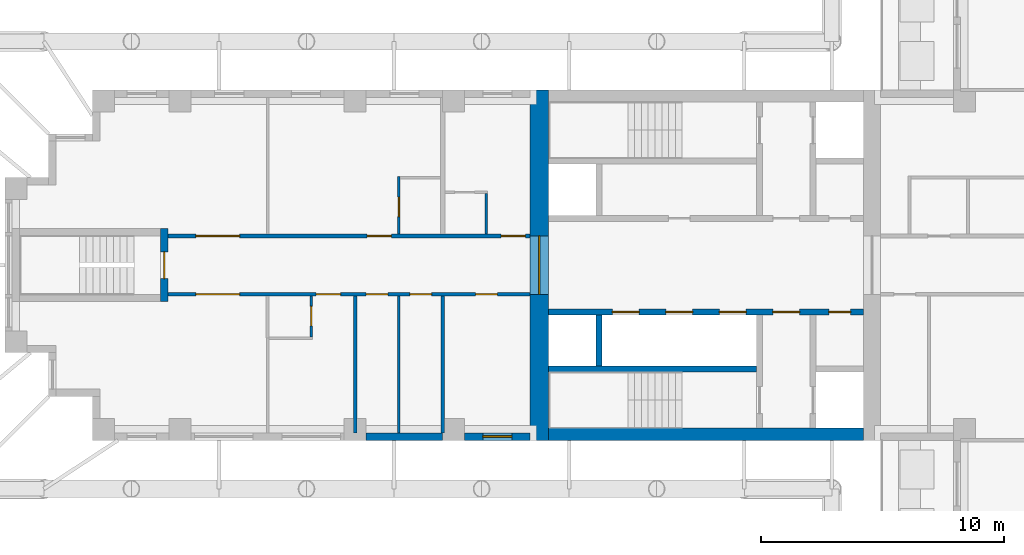
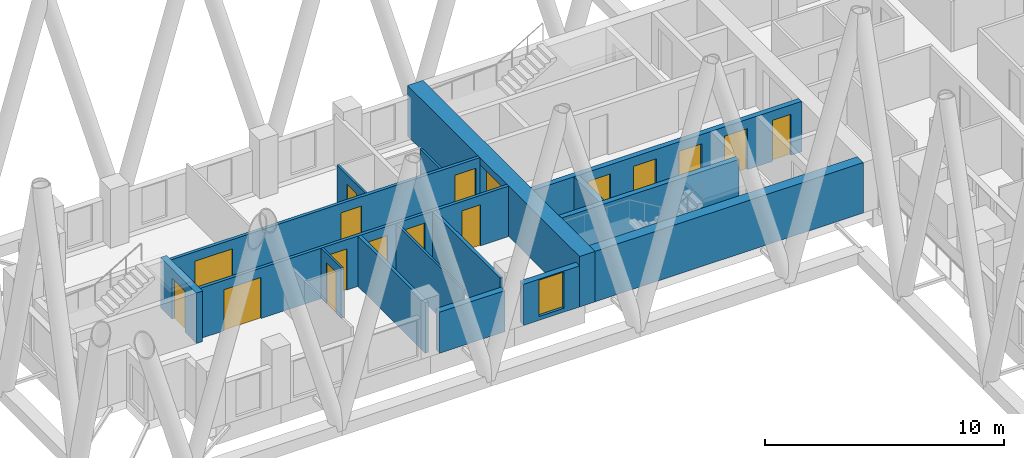
# One storey, part 7 of 16: 17 doors, 16 walls, 1 window, 18 openings.
"""IFC4 building model written with IfcOpenShell, lengths in metres."""

from ifc_helpers import new_model, si_unit, direction, frame, frame_2d, origin, place, context, subcontext, project, spatial, rectangle, extrude, material, layer, layer_set, type_object, element, fill, save


model = new_model("IFC4")

# Units and contexts
model_context = context("Model", 3, precision=1e-05, world=origin(), true_north=direction((0.0, 1.0)))
body_context = subcontext(model_context, "Body", "Model", "MODEL_VIEW")
ifc_project = project(units=[si_unit("LENGTHUNIT", "METRE"), si_unit("AREAUNIT", "SQUARE_METRE"), si_unit("VOLUMEUNIT", "CUBIC_METRE"), si_unit("PLANEANGLEUNIT", "RADIAN"), si_unit("MASSUNIT", "GRAM", prefix="KILO")], contexts=[model_context])

# Site, building, storey
site_placement = place(None, origin())
site = spatial("IfcSite", under=ifc_project, at=site_placement, CompositionType="ELEMENT")
building_placement = place(site_placement, origin())
building = spatial("IfcBuilding", under=site, at=building_placement, Name="Fustian Cross Tower", CompositionType="ELEMENT")
storey_placement = place(building_placement, frame((0.0, 0.0, 66.89990234375)))
storey = spatial("IfcBuildingStorey", under=building, at=storey_placement, Name="L20", CompositionType="ELEMENT", Elevation=66.89990234375)

# Wall, openings, doors
ifc_material_1 = material(Name="Plasterboard on steel stud", Category="steel")
ifc_layer_1 = layer(ifc_material_1, 0.14990234375)
ifc_layer_set_1 = layer_set([ifc_layer_1], Name="Plasterboard on steel stud")
wall_type_1 = type_object("IfcWallType", Name="COMPARTMENT WALL 150 EI 60", PredefinedType="PARTITIONING", material=ifc_layer_set_1)
wall_1_placement = place(storey_placement, frame((-36.5, -1.199951171875, 0.0), z_axis=(0.0, 0.0, 1.0), x_axis=(1.0, 0.0, 0.0)))
wall_1 = element("IfcWall", 1, at=wall_1_placement, inside=storey, type_object=wall_type_1, Name="Partition 1", PredefinedType="PARTITIONING", context=body_context, shape_type="SweptSolid", body=[
    extrude(rectangle(XDim=14.89990234375, YDim=0.14990234375, at=frame_2d((7.449951171875, 0.0))), origin(), (0.0, 0.0, 1.0), 2.5751953125),
])
opening_1_placement = place(wall_1_placement, frame((12.64990234375, 0.0, 0.0)))
opening_1 = element("IfcOpeningElement", 2, at=opening_1_placement, cuts=wall_1, Name="Opening D11025", PredefinedType="OPENING", context=body_context, shape_type="SweptSolid", body=[
    extrude(rectangle(XDim=0.89990234375, YDim=2.10009765625, at=frame_2d((0.449951171875, 1.050048828125))), frame((0.0, 0.0849609375, 0.0), z_axis=(0.0, -1.0, 0.0), x_axis=(1.0, 0.0, 0.0)), (0.0, 0.0, 1.0), 0.169921875),
])
opening_2_placement = place(wall_1_placement, frame((9.949951171875, 0.0, 0.0)))
opening_2 = element("IfcOpeningElement", 3, at=opening_2_placement, cuts=wall_1, Name="Opening D11026", PredefinedType="OPENING", context=body_context, shape_type="SweptSolid", body=[
    extrude(rectangle(XDim=0.89990234375, YDim=2.10009765625, at=frame_2d((0.449951171875, 1.050048828125))), frame((0.0, 0.0849609375, 0.0), z_axis=(0.0, -1.0, 0.0), x_axis=(1.0, 0.0, 0.0)), (0.0, 0.0, 1.0), 0.169921875),
])
opening_3_placement = place(wall_1_placement, frame((8.14990234375, 0.0, 0.0)))
opening_3 = element("IfcOpeningElement", 4, at=opening_3_placement, cuts=wall_1, Name="Opening D11027", PredefinedType="OPENING", context=body_context, shape_type="SweptSolid", body=[
    extrude(rectangle(XDim=0.89990234375, YDim=2.10009765625, at=frame_2d((0.449951171875, 1.050048828125))), frame((0.0, 0.0849609375, 0.0), z_axis=(0.0, -1.0, 0.0), x_axis=(1.0, 0.0, 0.0)), (0.0, 0.0, 1.0), 0.169921875),
])
opening_4_placement = place(wall_1_placement, frame((6.10009765625, 0.0, 0.0)))
opening_4 = element("IfcOpeningElement", 5, at=opening_4_placement, cuts=wall_1, Name="Opening D11029", PredefinedType="OPENING", context=body_context, shape_type="SweptSolid", body=[
    extrude(rectangle(XDim=1.0, YDim=2.10009765625, at=frame_2d((0.5, 1.050048828125))), frame((0.0, 0.0849609375, 0.0), z_axis=(0.0, -1.0, 0.0), x_axis=(1.0, 0.0, 0.0)), (0.0, 0.0, 1.0), 0.169921875),
])
opening_5_placement = place(wall_1_placement, frame((1.14990234375, 0.0, 0.0)))
opening_5 = element("IfcOpeningElement", 6, at=opening_5_placement, cuts=wall_1, Name="Opening D11030", PredefinedType="OPENING", context=body_context, shape_type="SweptSolid", body=[
    extrude(rectangle(XDim=1.800048828125, YDim=2.10009765625, at=frame_2d((0.89990234375, 1.050048828125))), frame((0.0, 0.0849609375, 0.0), z_axis=(0.0, -1.0, 0.0), x_axis=(1.0, 0.0, 0.0)), (0.0, 0.0, 1.0), 0.169921875),
])
ifc_material_2 = material(Name="Timber fire door set", Category="wood")
door_type_1 = type_object("IfcDoorType", Name="FIRE DOUBLE DOOR 1800 FD30S", OperationType="DOUBLE_DOOR_DOUBLE_SWING", PredefinedType="DOOR", material=ifc_material_2)
door_1_placement = place(opening_5_placement, origin())
door_1 = element("IfcDoor", 7, at=door_1_placement, inside=storey, type_object=door_type_1, Name="Door D11030", OperationType="DOUBLE_DOOR_DOUBLE_SWING", OverallHeight=2.10009765625, OverallWidth=1.800048828125, PredefinedType="DOOR", context=body_context, shape_type="SweptSolid", body=[
    extrude(rectangle(XDim=1.800048828125, YDim=2.10009765625, at=frame_2d((0.89990234375, 1.050048828125))), frame((0.0, 0.02490234375, 0.0), z_axis=(0.0, -1.0, 0.0), x_axis=(1.0, 0.0, 0.0)), (0.0, 0.0, 1.0), 0.050048828125),
])
fill(opening_5, door_1)
ifc_material_3 = material(Name="Timber fire door set", Category="wood")
door_type_2 = type_object("IfcDoorType", Name="FIRE SWING DOOR 1000 FD30S", OperationType="SINGLE_SWING_LEFT", PredefinedType="DOOR", material=ifc_material_3)
door_2_placement = place(opening_4_placement, frame((1.0, 0.0, 0.0), z_axis=(0.0, 0.0, 1.0), x_axis=(-1.0, 0.0, 0.0)))
door_2 = element("IfcDoor", 8, at=door_2_placement, inside=storey, type_object=door_type_2, Name="Door D11029", OperationType="SINGLE_SWING_RIGHT", OverallHeight=2.10009765625, OverallWidth=1.0, PredefinedType="DOOR", context=body_context, shape_type="SweptSolid", body=[
    extrude(rectangle(XDim=1.0, YDim=2.10009765625, at=frame_2d((0.5, 1.050048828125))), frame((0.0, 0.02490234375, 0.0), z_axis=(0.0, -1.0, 0.0), x_axis=(1.0, 0.0, 0.0)), (0.0, 0.0, 1.0), 0.050048828125),
])
fill(opening_4, door_2)
ifc_material_4 = material(Name="Timber fire door set", Category="wood")
door_type_3 = type_object("IfcDoorType", Name="FIRE SWING DOOR 900 FD30S", OperationType="SINGLE_SWING_LEFT", PredefinedType="DOOR", material=ifc_material_4)
door_3_placement = place(opening_1_placement, frame((0.89990234375, 0.0, 0.0), z_axis=(0.0, 0.0, 1.0), x_axis=(-1.0, 0.0, 0.0)))
door_3 = element("IfcDoor", 9, at=door_3_placement, inside=storey, type_object=door_type_3, Name="Door D11025", OperationType="SINGLE_SWING_RIGHT", OverallHeight=2.10009765625, OverallWidth=0.89990234375, PredefinedType="DOOR", context=body_context, shape_type="SweptSolid", body=[
    extrude(rectangle(XDim=0.89990234375, YDim=2.10009765625, at=frame_2d((0.449951171875, 1.050048828125))), frame((0.0, 0.02490234375, 0.0), z_axis=(0.0, -1.0, 0.0), x_axis=(1.0, 0.0, 0.0)), (0.0, 0.0, 1.0), 0.050048828125),
])
fill(opening_1, door_3)
door_4_placement = place(opening_2_placement, frame((0.89990234375, 0.0, 0.0), z_axis=(0.0, 0.0, 1.0), x_axis=(-1.0, 0.0, 0.0)))
door_4 = element("IfcDoor", 10, at=door_4_placement, inside=storey, type_object=door_type_3, Name="Door D11026", OperationType="SINGLE_SWING_LEFT", OverallHeight=2.10009765625, OverallWidth=0.89990234375, PredefinedType="DOOR", context=body_context, shape_type="SweptSolid", body=[
    extrude(rectangle(XDim=0.89990234375, YDim=2.10009765625, at=frame_2d((0.449951171875, 1.050048828125))), frame((0.0, 0.02490234375, 0.0), z_axis=(0.0, -1.0, 0.0), x_axis=(1.0, 0.0, 0.0)), (0.0, 0.0, 1.0), 0.050048828125),
])
fill(opening_2, door_4)
door_5_placement = place(opening_3_placement, frame((0.89990234375, 0.0, 0.0), z_axis=(0.0, 0.0, 1.0), x_axis=(-1.0, 0.0, 0.0)))
door_5 = element("IfcDoor", 11, at=door_5_placement, inside=storey, type_object=door_type_3, Name="Door D11027", OperationType="SINGLE_SWING_LEFT", OverallHeight=2.10009765625, OverallWidth=0.89990234375, PredefinedType="DOOR", context=body_context, shape_type="SweptSolid", body=[
    extrude(rectangle(XDim=0.89990234375, YDim=2.10009765625, at=frame_2d((0.449951171875, 1.050048828125))), frame((0.0, 0.02490234375, 0.0), z_axis=(0.0, -1.0, 0.0), x_axis=(1.0, 0.0, 0.0)), (0.0, 0.0, 1.0), 0.050048828125),
])
fill(opening_3, door_5)

wall_2_placement = place(storey_placement, frame((-36.5, 1.199951171875, 0.0), z_axis=(0.0, 0.0, 1.0), x_axis=(1.0, 0.0, 0.0)))
wall_2 = element("IfcWall", 12, at=wall_2_placement, inside=storey, type_object=wall_type_1, Name="Partition 2", PredefinedType="PARTITIONING", context=body_context, shape_type="SweptSolid", body=[
    extrude(rectangle(XDim=14.89990234375, YDim=0.14990234375, at=frame_2d((7.449951171875, 0.0))), origin(), (0.0, 0.0, 1.0), 2.5751953125),
])
opening_6_placement = place(wall_2_placement, frame((13.699951171875, 0.0, 0.0)))
opening_6 = element("IfcOpeningElement", 13, at=opening_6_placement, cuts=wall_2, Name="Opening D11032", PredefinedType="OPENING", context=body_context, shape_type="SweptSolid", body=[
    extrude(rectangle(XDim=1.0, YDim=2.10009765625, at=frame_2d((0.5, 1.050048828125))), frame((0.0, 0.0849609375, 0.0), z_axis=(0.0, -1.0, 0.0), x_axis=(1.0, 0.0, 0.0)), (0.0, 0.0, 1.0), 0.169921875),
])
opening_7_placement = place(wall_2_placement, frame((8.18994140625, 0.0, 0.0)))
opening_7 = element("IfcOpeningElement", 14, at=opening_7_placement, cuts=wall_2, Name="Opening D11034", PredefinedType="OPENING", context=body_context, shape_type="SweptSolid", body=[
    extrude(rectangle(XDim=1.0, YDim=2.10009765625, at=frame_2d((0.5, 1.050048828125))), frame((0.0, 0.0849609375, 0.0), z_axis=(0.0, -1.0, 0.0), x_axis=(1.0, 0.0, 0.0)), (0.0, 0.0, 1.0), 0.169921875),
])
opening_8_placement = place(wall_2_placement, frame((1.14990234375, 0.0, 0.0)))
opening_8 = element("IfcOpeningElement", 15, at=opening_8_placement, cuts=wall_2, Name="Opening D11035", PredefinedType="OPENING", context=body_context, shape_type="SweptSolid", body=[
    extrude(rectangle(XDim=1.800048828125, YDim=2.10009765625, at=frame_2d((0.89990234375, 1.050048828125))), frame((0.0, 0.0849609375, 0.0), z_axis=(0.0, -1.0, 0.0), x_axis=(1.0, 0.0, 0.0)), (0.0, 0.0, 1.0), 0.169921875),
])
door_6_placement = place(opening_8_placement, frame((1.800048828125, 0.0, 0.0), z_axis=(0.0, 0.0, 1.0), x_axis=(-1.0, 0.0, 0.0)))
door_6 = element("IfcDoor", 16, at=door_6_placement, inside=storey, type_object=door_type_1, Name="Door D11035", OperationType="DOUBLE_DOOR_DOUBLE_SWING", OverallHeight=2.10009765625, OverallWidth=1.800048828125, PredefinedType="DOOR", context=body_context, shape_type="SweptSolid", body=[
    extrude(rectangle(XDim=1.800048828125, YDim=2.10009765625, at=frame_2d((0.89990234375, 1.050048828125))), frame((0.0, 0.02490234375, 0.0), z_axis=(0.0, -1.0, 0.0), x_axis=(1.0, 0.0, 0.0)), (0.0, 0.0, 1.0), 0.050048828125),
])
fill(opening_8, door_6)
door_7_placement = place(opening_6_placement, origin())
door_7 = element("IfcDoor", 17, at=door_7_placement, inside=storey, type_object=door_type_2, Name="Door D11032", OperationType="SINGLE_SWING_RIGHT", OverallHeight=2.10009765625, OverallWidth=1.0, PredefinedType="DOOR", context=body_context, shape_type="SweptSolid", body=[
    extrude(rectangle(XDim=1.0, YDim=2.10009765625, at=frame_2d((0.5, 1.050048828125))), frame((0.0, 0.02490234375, 0.0), z_axis=(0.0, -1.0, 0.0), x_axis=(1.0, 0.0, 0.0)), (0.0, 0.0, 1.0), 0.050048828125),
])
fill(opening_6, door_7)
door_8_placement = place(opening_7_placement, origin())
door_8 = element("IfcDoor", 18, at=door_8_placement, inside=storey, type_object=door_type_2, Name="Door D11034", OperationType="SINGLE_SWING_RIGHT", OverallHeight=2.10009765625, OverallWidth=1.0, PredefinedType="DOOR", context=body_context, shape_type="SweptSolid", body=[
    extrude(rectangle(XDim=1.0, YDim=2.10009765625, at=frame_2d((0.5, 1.050048828125))), frame((0.0, 0.02490234375, 0.0), z_axis=(0.0, -1.0, 0.0), x_axis=(1.0, 0.0, 0.0)), (0.0, 0.0, 1.0), 0.050048828125),
])
fill(opening_7, door_8)

# Walls
for number, where, z_axis, x_axis, name in (
    (19, (-28.800048828125, -6.89990234375, 0.0), (0.0, 0.0, 1.0), (0.0, 1.0, 0.0), "Partition 8"),
    (20, (-25.199951171875, -6.89990234375, 0.0), (0.0, 0.0, 1.0), (0.0, 1.0, 0.0), "Partition 12"),
):
    element("IfcWall", number, at=place(storey_placement, frame(where, z_axis=z_axis, x_axis=x_axis)), inside=storey, type_object=wall_type_1, Name=name, PredefinedType="PARTITIONING", context=body_context, shape_type="SweptSolid", body=[
        extrude(rectangle(XDim=5.625, YDim=0.14990234375, at=frame_2d((2.8125, 0.0))), origin(), (0.0, 0.0, 1.0), 2.5751953125),
    ])

# Wall, opening, door
ifc_material_5 = material(Name="Concrete C70/85", Category="concrete")
ifc_layer_2 = layer(ifc_material_5, 0.75)
ifc_layer_set_2 = layer_set([ifc_layer_2], Name="Concrete C70/85")
wall_type_2 = type_object("IfcWallType", Name="CORE END WALL 750 C70/85", PredefinedType="SHEAR", material=ifc_layer_set_2)
wall_3_placement = place(storey_placement, frame((-21.22509765625, -7.199951171875, 0.0), z_axis=(0.0, 0.0, 1.0), x_axis=(0.0, 1.0, 0.0)))
wall_3 = element("IfcWall", 21, at=wall_3_placement, inside=storey, type_object=wall_type_2, Name="Core end wall", PredefinedType="SHEAR", context=body_context, shape_type="SweptSolid", body=[
    extrude(rectangle(XDim=14.39990234375, YDim=0.75, at=frame_2d((7.199951171875, 0.0))), origin(), (0.0, 0.0, 1.0), 2.5751953125),
])
opening_9_placement = place(wall_3_placement, frame((6.0, 0.0, 0.0)))
opening_9 = element("IfcOpeningElement", 22, at=opening_9_placement, cuts=wall_3, Name="Opening CD-09-27", PredefinedType="OPENING", context=body_context, shape_type="SweptSolid", body=[
    extrude(rectangle(XDim=2.39990234375, YDim=2.199951171875, at=frame_2d((1.199951171875, 1.10009765625))), frame((0.0, 0.385009765625, 0.0), z_axis=(0.0, -1.0, 0.0), x_axis=(1.0, 0.0, 0.0)), (0.0, 0.0, 1.0), 0.77001953125),
])
ifc_material_6 = material(Name="Steel", Category="steel")
door_type_4 = type_object("IfcDoorType", Name="FIRE DOOR FD30S DOUBLE 2400X2200", OperationType="DOUBLE_DOOR_DOUBLE_SWING", PredefinedType="DOOR", material=ifc_material_6)
door_9_placement = place(opening_9_placement, frame((2.39990234375, 0.0, 0.0), z_axis=(0.0, 0.0, 1.0), x_axis=(-1.0, 0.0, 0.0)))
door_9 = element("IfcDoor", 23, at=door_9_placement, inside=storey, type_object=door_type_4, Name="Core door CD-09-27", OperationType="DOUBLE_DOOR_DOUBLE_SWING", OverallHeight=2.199951171875, OverallWidth=2.39990234375, PredefinedType="DOOR", context=body_context, shape_type="SweptSolid", body=[
    extrude(rectangle(XDim=2.39990234375, YDim=2.199951171875, at=frame_2d((1.199951171875, 1.10009765625))), frame((0.0, 0.02490234375, 0.0), z_axis=(0.0, -1.0, 0.0), x_axis=(1.0, 0.0, 0.0)), (0.0, 0.0, 1.0), 0.050048828125),
])
fill(opening_9, door_9)

# Wall
ifc_material_7 = material(Name="Concrete C70/85", Category="concrete")
ifc_layer_3 = layer(ifc_material_7, 0.5)
ifc_layer_set_3 = layer_set([ifc_layer_3], Name="Concrete C70/85")
wall_type_3 = type_object("IfcWallType", Name="CORE FACADE WALL 500 C70/85", PredefinedType="SHEAR", material=ifc_layer_set_3)
wall_4_placement = place(storey_placement, frame((-7.89990234375, -6.949951171875, 0.0), z_axis=(0.0, 0.0, 1.0), x_axis=(-1.0, 0.0, 0.0)))
element("IfcWall", 24, at=wall_4_placement, inside=storey, type_object=wall_type_3, Name="Core facade wall", PredefinedType="SHEAR", context=body_context, shape_type="SweptSolid", body=[
    extrude(rectangle(XDim=12.9501953125, YDim=0.5, at=frame_2d((6.47509765625, 0.0))), origin(), (0.0, 0.0, 1.0), 2.5751953125),
])

# Wall, openings, doors
ifc_material_8 = material(Name="Concrete C50/60", Category="concrete")
ifc_layer_4 = layer(ifc_material_8, 0.25)
ifc_layer_set_4 = layer_set([ifc_layer_4], Name="Concrete C50/60")
wall_type_4 = type_object("IfcWallType", Name="CORE LOBBY WALL 250 C50/60", PredefinedType="SHEAR", material=ifc_layer_set_4)
wall_5_placement = place(storey_placement, frame((-7.89990234375, -1.925048828125, 0.0), z_axis=(0.0, 0.0, 1.0), x_axis=(-1.0, 0.0, 0.0)))
wall_5 = element("IfcWall", 25, at=wall_5_placement, inside=storey, type_object=wall_type_4, Name="Core lobby wall", PredefinedType="SHEAR", context=body_context, shape_type="SweptSolid", body=[
    extrude(rectangle(XDim=12.9501953125, YDim=0.25, at=frame_2d((6.47509765625, 0.0))), origin(), (0.0, 0.0, 1.0), 2.5751953125),
])
opening_10_placement = place(wall_5_placement, frame((4.824951171875, 0.0, 0.0)))
opening_10 = element("IfcOpeningElement", 26, at=opening_10_placement, cuts=wall_5, Name="Opening LD", PredefinedType="OPENING", context=body_context, shape_type="SweptSolid", body=[
    extrude(rectangle(XDim=1.10009765625, YDim=2.10009765625, at=frame_2d((0.550048828125, 1.050048828125))), frame((0.0, 0.135009765625, 0.0), z_axis=(0.0, -1.0, 0.0), x_axis=(1.0, 0.0, 0.0)), (0.0, 0.0, 1.0), 0.27001953125),
])
opening_11_placement = place(wall_5_placement, frame((7.02490234375, 0.0, 0.0)))
opening_11 = element("IfcOpeningElement", 27, at=opening_11_placement, cuts=wall_5, Name="Opening LD", PredefinedType="OPENING", context=body_context, shape_type="SweptSolid", body=[
    extrude(rectangle(XDim=1.10009765625, YDim=2.10009765625, at=frame_2d((0.550048828125, 1.050048828125))), frame((0.0, 0.135009765625, 0.0), z_axis=(0.0, -1.0, 0.0), x_axis=(1.0, 0.0, 0.0)), (0.0, 0.0, 1.0), 0.27001953125),
])
opening_12_placement = place(wall_5_placement, frame((9.22509765625, 0.0, 0.0)))
opening_12 = element("IfcOpeningElement", 28, at=opening_12_placement, cuts=wall_5, Name="Opening LD", PredefinedType="OPENING", context=body_context, shape_type="SweptSolid", body=[
    extrude(rectangle(XDim=1.10009765625, YDim=2.10009765625, at=frame_2d((0.550048828125, 1.050048828125))), frame((0.0, 0.135009765625, 0.0), z_axis=(0.0, -1.0, 0.0), x_axis=(1.0, 0.0, 0.0)), (0.0, 0.0, 1.0), 0.27001953125),
])
opening_13_placement = place(wall_5_placement, frame((0.52490234375, 0.0, 0.0)))
opening_13 = element("IfcOpeningElement", 29, at=opening_13_placement, cuts=wall_5, Name="Opening CD-09-23", PredefinedType="OPENING", context=body_context, shape_type="SweptSolid", body=[
    extrude(rectangle(XDim=0.89990234375, YDim=2.10009765625, at=frame_2d((0.449951171875, 1.050048828125))), frame((0.0, 0.135009765625, 0.0), z_axis=(0.0, -1.0, 0.0), x_axis=(1.0, 0.0, 0.0)), (0.0, 0.0, 1.0), 0.27001953125),
])
opening_14_placement = place(wall_5_placement, frame((2.625, 0.0, 0.0)))
opening_14 = element("IfcOpeningElement", 30, at=opening_14_placement, cuts=wall_5, Name="Opening CD-09-25", PredefinedType="OPENING", context=body_context, shape_type="SweptSolid", body=[
    extrude(rectangle(XDim=1.10009765625, YDim=2.10009765625, at=frame_2d((0.550048828125, 1.050048828125))), frame((0.0, 0.135009765625, 0.0), z_axis=(0.0, -1.0, 0.0), x_axis=(1.0, 0.0, 0.0)), (0.0, 0.0, 1.0), 0.27001953125),
])
ifc_material_9 = material(Name="Steel", Category="steel")
door_type_5 = type_object("IfcDoorType", Name="FIRE DOOR FD30S 1100X2100", OperationType="SINGLE_SWING_LEFT", PredefinedType="DOOR", material=ifc_material_9)
door_10_placement = place(opening_14_placement, frame((1.10009765625, 0.0, 0.0), z_axis=(0.0, 0.0, 1.0), x_axis=(-1.0, 0.0, 0.0)))
door_10 = element("IfcDoor", 31, at=door_10_placement, inside=storey, type_object=door_type_5, Name="Core door CD-09-25", OperationType="SINGLE_SWING_RIGHT", OverallHeight=2.10009765625, OverallWidth=1.10009765625, PredefinedType="DOOR", context=body_context, shape_type="SweptSolid", body=[
    extrude(rectangle(XDim=1.10009765625, YDim=2.10009765625, at=frame_2d((0.550048828125, 1.050048828125))), frame((0.0, 0.02490234375, 0.0), z_axis=(0.0, -1.0, 0.0), x_axis=(1.0, 0.0, 0.0)), (0.0, 0.0, 1.0), 0.050048828125),
])
fill(opening_14, door_10)
ifc_material_10 = material(Name="Steel", Category="steel")
door_type_6 = type_object("IfcDoorType", Name="FIRE DOOR FD30S 900X2100", OperationType="SINGLE_SWING_LEFT", PredefinedType="DOOR", material=ifc_material_10)
door_11_placement = place(opening_13_placement, origin())
door_11 = element("IfcDoor", 32, at=door_11_placement, inside=storey, type_object=door_type_6, Name="Core door CD-09-23", OperationType="SINGLE_SWING_LEFT", OverallHeight=2.10009765625, OverallWidth=0.89990234375, PredefinedType="DOOR", context=body_context, shape_type="SweptSolid", body=[
    extrude(rectangle(XDim=0.89990234375, YDim=2.10009765625, at=frame_2d((0.449951171875, 1.050048828125))), frame((0.0, 0.02490234375, 0.0), z_axis=(0.0, -1.0, 0.0), x_axis=(1.0, 0.0, 0.0)), (0.0, 0.0, 1.0), 0.050048828125),
])
fill(opening_13, door_11)
ifc_material_11 = material(Name="Stainless steel", Category="steel")
door_type_7 = type_object("IfcDoorType", Name="LIFT LANDING DOOR 1100X2100", OperationType="SLIDING_TO_LEFT", PredefinedType="DOOR", material=ifc_material_11)
door_12_placement = place(opening_10_placement, origin())
door_12 = element("IfcDoor", 33, at=door_12_placement, inside=storey, type_object=door_type_7, Name="Landing door LR1W", OperationType="SLIDING_TO_LEFT", OverallHeight=2.10009765625, OverallWidth=1.10009765625, PredefinedType="DOOR", context=body_context, shape_type="SweptSolid", body=[
    extrude(rectangle(XDim=1.10009765625, YDim=2.10009765625, at=frame_2d((0.550048828125, 1.050048828125))), frame((0.0, 0.02490234375, 0.0), z_axis=(0.0, -1.0, 0.0), x_axis=(1.0, 0.0, 0.0)), (0.0, 0.0, 1.0), 0.050048828125),
])
fill(opening_10, door_12)
door_13_placement = place(opening_11_placement, origin())
door_13 = element("IfcDoor", 34, at=door_13_placement, inside=storey, type_object=door_type_7, Name="Landing door LR2W", OperationType="SLIDING_TO_LEFT", OverallHeight=2.10009765625, OverallWidth=1.10009765625, PredefinedType="DOOR", context=body_context, shape_type="SweptSolid", body=[
    extrude(rectangle(XDim=1.10009765625, YDim=2.10009765625, at=frame_2d((0.550048828125, 1.050048828125))), frame((0.0, 0.02490234375, 0.0), z_axis=(0.0, -1.0, 0.0), x_axis=(1.0, 0.0, 0.0)), (0.0, 0.0, 1.0), 0.050048828125),
])
fill(opening_11, door_13)
door_14_placement = place(opening_12_placement, origin())
door_14 = element("IfcDoor", 35, at=door_14_placement, inside=storey, type_object=door_type_7, Name="Landing door LR3W", OperationType="SLIDING_TO_LEFT", OverallHeight=2.10009765625, OverallWidth=1.10009765625, PredefinedType="DOOR", context=body_context, shape_type="SweptSolid", body=[
    extrude(rectangle(XDim=1.10009765625, YDim=2.10009765625, at=frame_2d((0.550048828125, 1.050048828125))), frame((0.0, 0.02490234375, 0.0), z_axis=(0.0, -1.0, 0.0), x_axis=(1.0, 0.0, 0.0)), (0.0, 0.0, 1.0), 0.050048828125),
])
fill(opening_12, door_14)

# Wall
ifc_material_12 = material(Name="Concrete C50/60", Category="concrete")
ifc_layer_5 = layer(ifc_material_12, 0.25)
ifc_layer_set_5 = layer_set([ifc_layer_5], Name="Concrete C50/60")
wall_type_5 = type_object("IfcWallType", Name="CORE SHAFT WALL 250 C50/60", PredefinedType="SHEAR", material=ifc_layer_set_5)
wall_6_placement = place(storey_placement, frame((-12.300048828125, -4.27490234375, 0.0), z_axis=(0.0, 0.0, 1.0), x_axis=(-1.0, 0.0, 0.0)))
element("IfcWall", 36, at=wall_6_placement, inside=storey, type_object=wall_type_5, Name="Core shaft wall", PredefinedType="SHEAR", context=body_context, shape_type="SweptSolid", body=[
    extrude(rectangle(XDim=8.550048828125, YDim=0.25, at=frame_2d((4.27490234375, 0.0))), origin(), (0.0, 0.0, 1.0), 2.5751953125),
])

# Wall, opening, door
ifc_material_13 = material(Name="Plasterboard on steel stud", Category="steel")
ifc_layer_6 = layer(ifc_material_13, 0.10009765625)
ifc_layer_set_6 = layer_set([ifc_layer_6], Name="Plasterboard on steel stud")
wall_type_6 = type_object("IfcWallType", Name="PARTITION 100 STUD", PredefinedType="PARTITIONING", material=ifc_layer_set_6)
wall_7_placement = place(storey_placement, frame((-30.60009765625, -2.949951171875, 0.0), z_axis=(0.0, 0.0, 1.0), x_axis=(0.0, 1.0, 0.0)))
wall_7 = element("IfcWall", 37, at=wall_7_placement, inside=storey, type_object=wall_type_6, Name="Partition 7", PredefinedType="PARTITIONING", context=body_context, shape_type="SweptSolid", body=[
    extrude(rectangle(XDim=1.675048828125, YDim=0.10009765625, at=frame_2d((0.83740234375, 0.0))), origin(), (0.0, 0.0, 1.0), 2.5751953125),
])
opening_15_placement = place(wall_7_placement, frame((0.449951171875, 0.0, 0.0)))
opening_15 = element("IfcOpeningElement", 38, at=opening_15_placement, cuts=wall_7, Name="Opening D11028", PredefinedType="OPENING", context=body_context, shape_type="SweptSolid", body=[
    extrude(rectangle(XDim=0.800048828125, YDim=2.10009765625, at=frame_2d((0.39990234375, 1.050048828125))), frame((0.0, 0.06005859375, 0.0), z_axis=(0.0, -1.0, 0.0), x_axis=(1.0, 0.0, 0.0)), (0.0, 0.0, 1.0), 0.1201171875),
])
ifc_material_14 = material(Name="Painted timber", Category="wood")
door_type_8 = type_object("IfcDoorType", Name="SWING DOOR 800", OperationType="SINGLE_SWING_LEFT", PredefinedType="DOOR", material=ifc_material_14)
door_15_placement = place(opening_15_placement, origin())
door_15 = element("IfcDoor", 39, at=door_15_placement, inside=storey, type_object=door_type_8, Name="Door D11028", OperationType="SINGLE_SWING_RIGHT", OverallHeight=2.10009765625, OverallWidth=0.800048828125, PredefinedType="DOOR", context=body_context, shape_type="SweptSolid", body=[
    extrude(rectangle(XDim=0.800048828125, YDim=2.10009765625, at=frame_2d((0.39990234375, 1.050048828125))), frame((0.0, 0.02490234375, 0.0), z_axis=(0.0, -1.0, 0.0), x_axis=(1.0, 0.0, 0.0)), (0.0, 0.0, 1.0), 0.050048828125),
])
fill(opening_15, door_15)

# Wall
wall_8_placement = place(storey_placement, frame((-27.0, -6.89990234375, 0.0), z_axis=(0.0, 0.0, 1.0), x_axis=(0.0, 1.0, 0.0)))
element("IfcWall", 40, at=wall_8_placement, inside=storey, type_object=wall_type_6, Name="Partition 9", PredefinedType="PARTITIONING", context=body_context, shape_type="SweptSolid", body=[
    extrude(rectangle(XDim=5.625, YDim=0.10009765625, at=frame_2d((2.8125, 0.0))), origin(), (0.0, 0.0, 1.0), 2.5751953125),
])

# Wall, opening, door
wall_9_placement = place(storey_placement, frame((-27.0, 1.27490234375, 0.0), z_axis=(0.0, 0.0, 1.0), x_axis=(0.0, 1.0, 0.0)))
wall_9 = element("IfcWall", 41, at=wall_9_placement, inside=storey, type_object=wall_type_6, Name="Partition 10", PredefinedType="PARTITIONING", context=body_context, shape_type="SweptSolid", body=[
    extrude(rectangle(XDim=2.375, YDim=0.10009765625, at=frame_2d((1.1875, 0.0))), origin(), (0.0, 0.0, 1.0), 2.5751953125),
])
opening_16_placement = place(wall_9_placement, frame((0.72509765625, 0.0, 0.0)))
opening_16 = element("IfcOpeningElement", 42, at=opening_16_placement, cuts=wall_9, Name="Opening D11033", PredefinedType="OPENING", context=body_context, shape_type="SweptSolid", body=[
    extrude(rectangle(XDim=0.800048828125, YDim=2.10009765625, at=frame_2d((0.39990234375, 1.050048828125))), frame((0.0, 0.06005859375, 0.0), z_axis=(0.0, -1.0, 0.0), x_axis=(1.0, 0.0, 0.0)), (0.0, 0.0, 1.0), 0.1201171875),
])
door_16_placement = place(opening_16_placement, frame((0.800048828125, 0.0, 0.0), z_axis=(0.0, 0.0, 1.0), x_axis=(-1.0, 0.0, 0.0)))
door_16 = element("IfcDoor", 43, at=door_16_placement, inside=storey, type_object=door_type_8, Name="Door D11033", OperationType="SINGLE_SWING_RIGHT", OverallHeight=2.10009765625, OverallWidth=0.800048828125, PredefinedType="DOOR", context=body_context, shape_type="SweptSolid", body=[
    extrude(rectangle(XDim=0.800048828125, YDim=2.10009765625, at=frame_2d((0.39990234375, 1.050048828125))), frame((0.0, 0.02490234375, 0.0), z_axis=(0.0, -1.0, 0.0), x_axis=(1.0, 0.0, 0.0)), (0.0, 0.0, 1.0), 0.050048828125),
])
fill(opening_16, door_16)

# Walls
wall_10_placement = place(storey_placement, frame((-23.39990234375, 1.27490234375, 0.0), z_axis=(0.0, 0.0, 1.0), x_axis=(0.0, 1.0, 0.0)))
element("IfcWall", 44, at=wall_10_placement, inside=storey, type_object=wall_type_6, Name="Partition 15", PredefinedType="PARTITIONING", context=body_context, shape_type="SweptSolid", body=[
    extrude(rectangle(XDim=1.675048828125, YDim=0.10009765625, at=frame_2d((0.83740234375, 0.0))), origin(), (0.0, 0.0, 1.0), 2.5751953125),
])
ifc_material_15 = material(Name="Concrete C40/50", Category="concrete")
ifc_layer_7 = layer(ifc_material_15, 0.25)
ifc_layer_set_7 = layer_set([ifc_layer_7], Name="Concrete C40/50")
wall_type_7 = type_object("IfcWallType", Name="SHAFT PARTITION WALL 250 C40/50", PredefinedType="PARTITIONING", material=ifc_layer_set_7)
wall_11_placement = place(storey_placement, frame((-18.77490234375, -2.050048828125, 0.0), z_axis=(0.0, 0.0, 1.0), x_axis=(0.0, -1.0, 0.0)))
element("IfcWall", 45, at=wall_11_placement, inside=storey, type_object=wall_type_7, Name="Core shaft wall", PredefinedType="PARTITIONING", context=body_context, shape_type="SweptSolid", body=[
    extrude(rectangle(XDim=2.099853515625, YDim=0.25, at=frame_2d((1.0498046875, 0.0))), origin(), (0.0, 0.0, 1.0), 2.5751953125),
])

# Wall, opening, door
ifc_material_16 = material(Name="Concrete C50/60", Category="concrete")
ifc_layer_8 = layer(ifc_material_16, 0.300048828125)
ifc_layer_set_8 = layer_set([ifc_layer_8], Name="Concrete C50/60")
wall_type_8 = type_object("IfcWallType", Name="STAIR ENCLOSURE WALL 300 C50/60", PredefinedType="SHEAR", material=ifc_layer_set_8)
wall_12_placement = place(storey_placement, frame((-36.64990234375, -1.5, 0.0), z_axis=(0.0, 0.0, 1.0), x_axis=(0.0, 1.0, 0.0)))
wall_12 = element("IfcWall", 46, at=wall_12_placement, inside=storey, type_object=wall_type_8, Name="Stair enclosure wall", PredefinedType="SHEAR", context=body_context, shape_type="SweptSolid", body=[
    extrude(rectangle(XDim=3.0, YDim=0.300048828125, at=frame_2d((1.5, 0.0))), origin(), (0.0, 0.0, 1.0), 2.5751953125),
])
opening_17_placement = place(wall_12_placement, frame((0.949951171875, 0.0, 0.0)))
opening_17 = element("IfcOpeningElement", 47, at=opening_17_placement, cuts=wall_12, Name="Opening CD-09-31", PredefinedType="OPENING", context=body_context, shape_type="SweptSolid", body=[
    extrude(rectangle(XDim=1.10009765625, YDim=2.10009765625, at=frame_2d((0.550048828125, 1.050048828125))), frame((0.0, 0.159912109375, 0.0), z_axis=(0.0, -1.0, 0.0), x_axis=(1.0, 0.0, 0.0)), (0.0, 0.0, 1.0), 0.320068359375),
])
ifc_material_17 = material(Name="Steel", Category="steel")
door_type_9 = type_object("IfcDoorType", Name="FIRE DOOR FD60S 1100X2100", OperationType="SINGLE_SWING_LEFT", PredefinedType="DOOR", material=ifc_material_17)
door_17_placement = place(opening_17_placement, origin())
door_17 = element("IfcDoor", 48, at=door_17_placement, inside=storey, type_object=door_type_9, Name="Core door CD-09-31", OperationType="SINGLE_SWING_LEFT", OverallHeight=2.10009765625, OverallWidth=1.10009765625, PredefinedType="DOOR", context=body_context, shape_type="SweptSolid", body=[
    extrude(rectangle(XDim=1.10009765625, YDim=2.10009765625, at=frame_2d((0.550048828125, 1.050048828125))), frame((0.0, 0.02490234375, 0.0), z_axis=(0.0, -1.0, 0.0), x_axis=(1.0, 0.0, 0.0)), (0.0, 0.0, 1.0), 0.050048828125),
])
fill(opening_17, door_17)

# Wall
ifc_material_18 = material(Name="Dark aluminium cladding on insulated backing wall", Category="aluminium")
ifc_layer_9 = layer(ifc_material_18, 0.300048828125)
ifc_layer_set_9 = layer_set([ifc_layer_9], Name="Dark aluminium cladding on insulated backing wall")
wall_type_9 = type_object("IfcWallType", Name="XW1 EXTERNAL WALL 300", PredefinedType="SOLIDWALL", material=ifc_layer_set_9)
wall_13_placement = place(storey_placement, frame((-28.35009765625, -7.050048828125, 0.0), z_axis=(0.0, 0.0, 1.0), x_axis=(1.0, 0.0, 0.0)))
element("IfcWall", 49, at=wall_13_placement, inside=storey, type_object=wall_type_9, Name="External wall", PredefinedType="SOLIDWALL", context=body_context, shape_type="SweptSolid", body=[
    extrude(rectangle(XDim=3.150146484375, YDim=0.300048828125, at=frame_2d((1.5751953125, 0.0))), origin(), (0.0, 0.0, 1.0), 2.10009765625),
])

# Wall, opening, window
wall_14_placement = place(storey_placement, frame((-24.300048828125, -7.050048828125, 0.0), z_axis=(0.0, 0.0, 1.0), x_axis=(1.0, 0.0, 0.0)))
wall_14 = element("IfcWall", 50, at=wall_14_placement, inside=storey, type_object=wall_type_9, Name="External wall", PredefinedType="SOLIDWALL", context=body_context, shape_type="SweptSolid", body=[
    extrude(rectangle(XDim=2.699951171875, YDim=0.300048828125, at=frame_2d((1.35009765625, 0.0))), origin(), (0.0, 0.0, 1.0), 2.10009765625),
])
opening_18_placement = place(wall_14_placement, frame((0.75, 0.0, 0.199951171875)))
opening_18 = element("IfcOpeningElement", 51, at=opening_18_placement, cuts=wall_14, Name="Opening WN3", PredefinedType="OPENING", context=body_context, shape_type="SweptSolid", body=[
    extrude(rectangle(XDim=1.199951171875, YDim=1.85009765625, at=frame_2d((0.60009765625, 0.925048828125))), frame((0.0, 0.159912109375, 0.0), z_axis=(0.0, -1.0, 0.0), x_axis=(1.0, 0.0, 0.0)), (0.0, 0.0, 1.0), 0.320068359375),
])
ifc_material_19 = material(Name="Dark anodised aluminium and double glazing", Category="aluminium")
window_type = type_object("IfcWindowType", Name="WN3 WINDOW 1200X1850", PartitioningType="SINGLE_PANEL", PredefinedType="WINDOW", material=ifc_material_19)
window_placement = place(opening_18_placement, origin())
window = element("IfcWindow", 52, at=window_placement, inside=storey, type_object=window_type, Name="Window", OverallHeight=1.85009765625, OverallWidth=1.199951171875, PartitioningType="SINGLE_PANEL", PredefinedType="WINDOW", context=body_context, shape_type="SweptSolid", body=[
    extrude(rectangle(XDim=1.199951171875, YDim=1.85009765625, at=frame_2d((0.60009765625, 0.925048828125))), frame((0.0, 0.030029296875, 0.0), z_axis=(0.0, -1.0, 0.0), x_axis=(1.0, 0.0, 0.0)), (0.0, 0.0, 1.0), 0.06005859375),
])
fill(opening_18, window)

save(model, "model.ifc")
